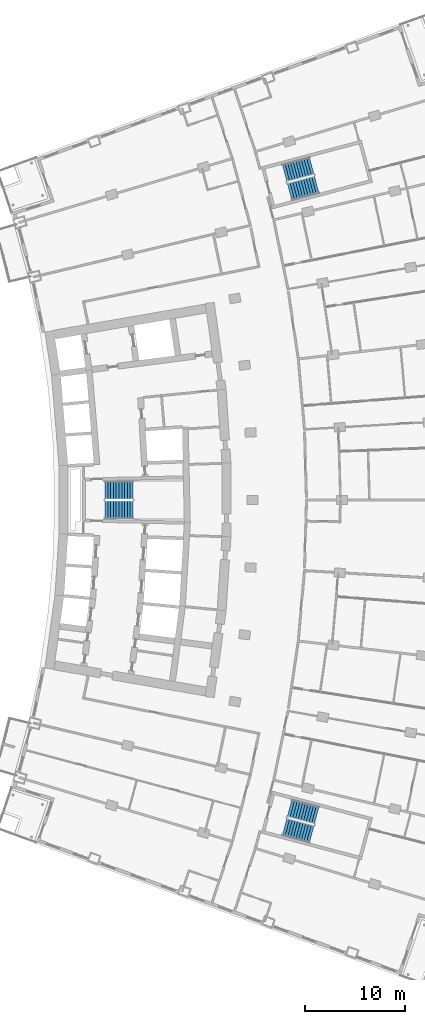
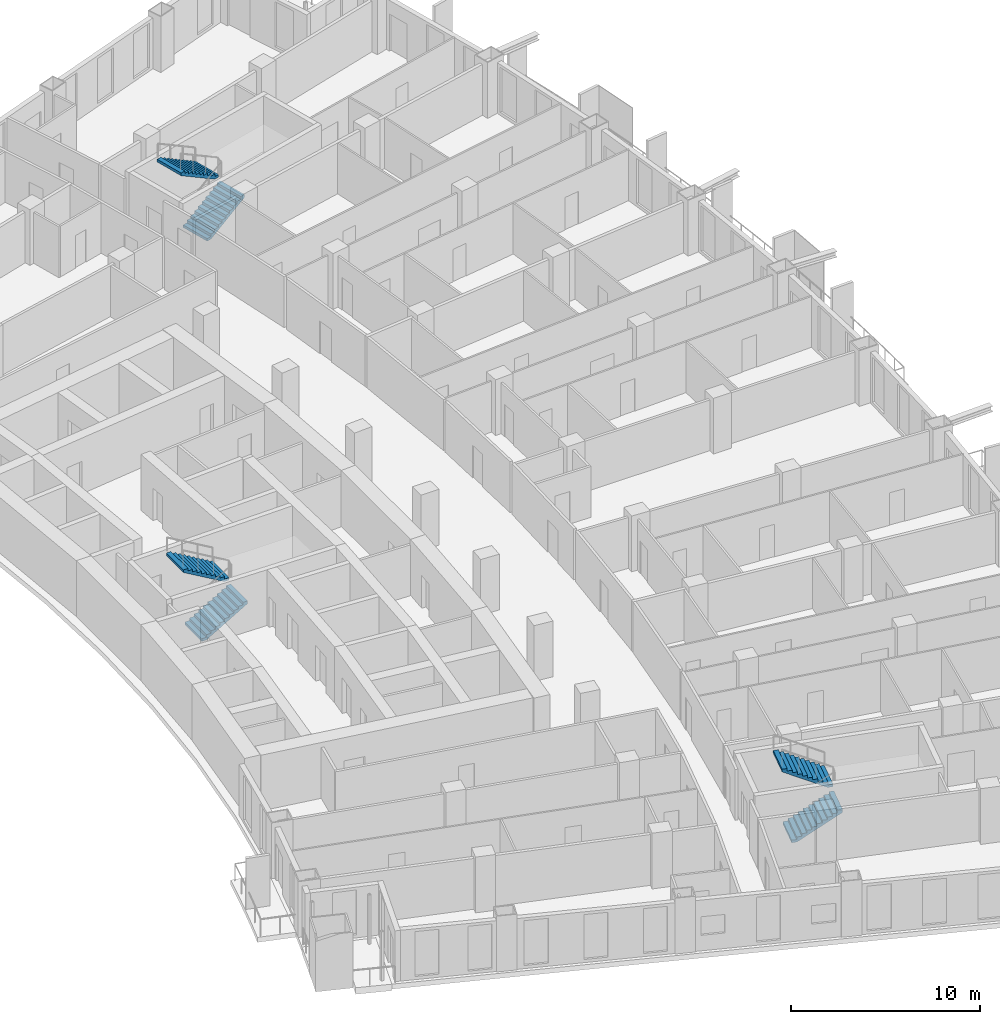
# One storey, part 22 of 25: 6 stair flights, 3 elements without a shape of their own.
"""IFC4 building model written with IfcOpenShell, lengths in metres."""

from ifc_helpers import new_model, si_unit, direction, frame, origin, place, context, subcontext, project, spatial, polyline, outline, extrude, material, layer, layer_set, type_object, element, aggregate, save


model = new_model("IFC4")

# Units and contexts
model_context = context("Model", 3, precision=1e-05, world=origin(), true_north=direction((0.0, 1.0)))
body_context = subcontext(model_context, "Body", "Model", "MODEL_VIEW")
ifc_project = project(units=[si_unit("LENGTHUNIT", "METRE"), si_unit("AREAUNIT", "SQUARE_METRE"), si_unit("VOLUMEUNIT", "CUBIC_METRE"), si_unit("PLANEANGLEUNIT", "RADIAN"), si_unit("MASSUNIT", "GRAM", prefix="KILO")], contexts=[model_context])

# Site, building, storey
site_placement = place(None, origin())
site = spatial("IfcSite", under=ifc_project, at=site_placement, CompositionType="ELEMENT")
building_placement = place(site_placement, origin())
building = spatial("IfcBuilding", under=site, at=building_placement, Name="Alderwake Tower", CompositionType="ELEMENT")
storey_placement = place(building_placement, frame((0.0, 0.0, 57.199951171875)))
storey = spatial("IfcBuildingStorey", under=building, at=storey_placement, Name="L13", CompositionType="ELEMENT", Elevation=57.199951171875)

# Stair, stair flights
ifc_material_1 = material(Name="Concrete C40/50", Category="concrete")
stair_type = type_object("IfcStairType", Name="Core exit stair", PredefinedType="HALF_TURN_STAIR", material=ifc_material_1)
stair_1_placement = place(storey_placement, origin())
stair_1 = element("IfcStair", 1, at=stair_1_placement, inside=storey, type_object=stair_type, Name="L13 Exit Stair B", PredefinedType="HALF_TURN_STAIR")
ifc_material_2 = material(Name="Concrete C40/50", Category="concrete")
ifc_layer = layer(ifc_material_2, 0.14990234375)
ifc_layer_set = layer_set([ifc_layer], Name="Core stair flight")
stair_flight_type = type_object("IfcStairFlightType", Name="Core stair flight", PredefinedType="STRAIGHT", material=ifc_layer_set)
stair_flight_1_placement = place(storey_placement, frame((21.0400390625, 60.02490234375, 0.0), z_axis=(0.0, 0.0, 1.0), x_axis=(1.0, 0.0, 0.0)))
stair_flight_1 = element("IfcStairFlight", 2, at=stair_flight_1_placement, type_object=stair_flight_type, Name="ST-B flight 1", NumberOfRisers=11, NumberOfTreads=10, PredefinedType="STRAIGHT", RiserHeight=0.163636364, TreadLength=0.28, context=body_context, shape_type="SweptSolid", body=[
    extrude(outline(polyline([(0.0, 0.0), (0.0, 0.16357421875), (0.280029296875, 0.16357421875), (0.280029296875, 0.327392578125), (0.56005859375, 0.327392578125), (0.56005859375, 0.490966796875), (0.840087890625, 0.490966796875), (0.840087890625, 0.654541015625), (1.1201171875, 0.654541015625), (1.1201171875, 0.818115234375), (1.39990234375, 0.818115234375), (1.39990234375, 0.98193359375), (1.679931640625, 0.98193359375), (1.679931640625, 1.1455078125), (1.9599609375, 1.1455078125), (1.9599609375, 1.30908203125), (2.239990234375, 1.30908203125), (2.239990234375, 1.47265625), (2.52001953125, 1.47265625), (2.52001953125, 1.636474609375), (2.800048828125, 1.636474609375), (2.800048828125, 1.800048828125), (2.800048828125, 1.462646484375), (0.297119140625, 0.0), (0.0, 0.0)])), frame((0.0, 0.89990234375, 0.0), z_axis=(0.0, -1.0, 0.0), x_axis=(1.0, 0.0, 0.0)), (0.0, 0.0, 1.0), 1.800048828125),
])
stair_flight_2_placement = place(storey_placement, frame((23.840087890625, 61.97509765625, 1.800048828125), z_axis=(0.0, 0.0, 1.0), x_axis=(-1.0, 0.0, 0.0)))
stair_flight_2 = element("IfcStairFlight", 3, at=stair_flight_2_placement, type_object=stair_flight_type, Name="ST-B flight 2", NumberOfRisers=11, NumberOfTreads=10, PredefinedType="STRAIGHT", RiserHeight=0.163636364, TreadLength=0.28, context=body_context, shape_type="SweptSolid", body=[
    extrude(outline(polyline([(0.0, 0.0), (0.0, 0.16357421875), (0.280029296875, 0.16357421875), (0.280029296875, 0.327392578125), (0.56005859375, 0.327392578125), (0.56005859375, 0.490966796875), (0.840087890625, 0.490966796875), (0.840087890625, 0.654541015625), (1.1201171875, 0.654541015625), (1.1201171875, 0.818115234375), (1.39990234375, 0.818115234375), (1.39990234375, 0.98193359375), (1.679931640625, 0.98193359375), (1.679931640625, 1.1455078125), (1.9599609375, 1.1455078125), (1.9599609375, 1.30908203125), (2.239990234375, 1.30908203125), (2.239990234375, 1.47265625), (2.52001953125, 1.47265625), (2.52001953125, 1.636474609375), (2.800048828125, 1.636474609375), (2.800048828125, 1.800048828125), (2.800048828125, 1.462646484375), (0.297119140625, 0.0), (0.0, 0.0)])), frame((0.0, 0.89990234375, 0.0), z_axis=(0.0, -1.0, 0.0), x_axis=(1.0, 0.0, 0.0)), (0.0, 0.0, 1.0), 1.800048828125),
])
aggregate(stair_1, [stair_flight_1, stair_flight_2])

stair_2_placement = place(storey_placement, origin())
stair_2 = element("IfcStair", 4, at=stair_2_placement, inside=storey, type_object=stair_type, Name="L13 Exit Stair A", PredefinedType="HALF_TURN_STAIR")
stair_flight_3_placement = place(storey_placement, frame((39.512939453125, 91.823974609375, 0.0), z_axis=(0.0, 0.0, 1.0), x_axis=(0.966309627437, 0.257382407951, 0.0)))
stair_flight_3 = element("IfcStairFlight", 5, at=stair_flight_3_placement, type_object=stair_flight_type, Name="ST-A flight 1", NumberOfRisers=11, NumberOfTreads=10, PredefinedType="STRAIGHT", RiserHeight=0.163636364, TreadLength=0.28, context=body_context, shape_type="SweptSolid", body=[
    extrude(outline(polyline([(0.0, 0.0), (0.0, 0.16357421875), (0.280029296875, 0.16357421875), (0.280029296875, 0.327392578125), (0.56005859375, 0.327392578125), (0.56005859375, 0.490966796875), (0.840087890625, 0.490966796875), (0.840087890625, 0.654541015625), (1.1201171875, 0.654541015625), (1.1201171875, 0.818115234375), (1.39990234375, 0.818115234375), (1.39990234375, 0.98193359375), (1.679931640625, 0.98193359375), (1.679931640625, 1.1455078125), (1.9599609375, 1.1455078125), (1.9599609375, 1.30908203125), (2.239990234375, 1.30908203125), (2.239990234375, 1.47265625), (2.52001953125, 1.47265625), (2.52001953125, 1.636474609375), (2.800048828125, 1.636474609375), (2.800048828125, 1.800048828125), (2.800048828125, 1.462646484375), (0.297119140625, 0.0), (0.0, 0.0)])), frame((0.0, 0.89990234375, 0.0), z_axis=(0.0, -1.0, 0.0), x_axis=(1.0, 0.0, 0.0)), (0.0, 0.0, 1.0), 1.800048828125),
])
stair_flight_4_placement = place(storey_placement, frame((41.716796875, 94.428955078125, 1.800048828125), z_axis=(0.0, 0.0, 1.0), x_axis=(-0.966309627437, -0.257382407951, 0.0)))
stair_flight_4 = element("IfcStairFlight", 6, at=stair_flight_4_placement, type_object=stair_flight_type, Name="ST-A flight 2", NumberOfRisers=11, NumberOfTreads=10, PredefinedType="STRAIGHT", RiserHeight=0.163636364, TreadLength=0.28, context=body_context, shape_type="SweptSolid", body=[
    extrude(outline(polyline([(0.0, 0.0), (0.0, 0.16357421875), (0.280029296875, 0.16357421875), (0.280029296875, 0.327392578125), (0.56005859375, 0.327392578125), (0.56005859375, 0.490966796875), (0.840087890625, 0.490966796875), (0.840087890625, 0.654541015625), (1.1201171875, 0.654541015625), (1.1201171875, 0.818115234375), (1.39990234375, 0.818115234375), (1.39990234375, 0.98193359375), (1.679931640625, 0.98193359375), (1.679931640625, 1.1455078125), (1.9599609375, 1.1455078125), (1.9599609375, 1.30908203125), (2.239990234375, 1.30908203125), (2.239990234375, 1.47265625), (2.52001953125, 1.47265625), (2.52001953125, 1.636474609375), (2.800048828125, 1.636474609375), (2.800048828125, 1.800048828125), (2.800048828125, 1.462646484375), (0.297119140625, 0.0), (0.0, 0.0)])), frame((0.0, 0.89990234375, 0.0), z_axis=(0.0, -1.0, 0.0), x_axis=(1.0, 0.0, 0.0)), (0.0, 0.0, 1.0), 1.800048828125),
])
aggregate(stair_2, [stair_flight_3, stair_flight_4])

stair_3_placement = place(storey_placement, origin())
stair_3 = element("IfcStair", 7, at=stair_3_placement, inside=storey, type_object=stair_type, Name="L13 Exit Stair C", PredefinedType="HALF_TURN_STAIR")
stair_flight_5_placement = place(storey_placement, frame((39.010986328125, 28.291748046875, 0.0), z_axis=(0.0, 0.0, 1.0), x_axis=(0.966309627437, -0.257382407951, 0.0)))
stair_flight_5 = element("IfcStairFlight", 8, at=stair_flight_5_placement, type_object=stair_flight_type, Name="ST-C flight 1", NumberOfRisers=11, NumberOfTreads=10, PredefinedType="STRAIGHT", RiserHeight=0.163636364, TreadLength=0.28, context=body_context, shape_type="SweptSolid", body=[
    extrude(outline(polyline([(0.0, 0.0), (0.0, 0.16357421875), (0.280029296875, 0.16357421875), (0.280029296875, 0.327392578125), (0.56005859375, 0.327392578125), (0.56005859375, 0.490966796875), (0.840087890625, 0.490966796875), (0.840087890625, 0.654541015625), (1.1201171875, 0.654541015625), (1.1201171875, 0.818115234375), (1.39990234375, 0.818115234375), (1.39990234375, 0.98193359375), (1.679931640625, 0.98193359375), (1.679931640625, 1.1455078125), (1.9599609375, 1.1455078125), (1.9599609375, 1.30908203125), (2.239990234375, 1.30908203125), (2.239990234375, 1.47265625), (2.52001953125, 1.47265625), (2.52001953125, 1.636474609375), (2.800048828125, 1.636474609375), (2.800048828125, 1.800048828125), (2.800048828125, 1.462646484375), (0.297119140625, 0.0), (0.0, 0.0)])), frame((0.0, 0.89990234375, 0.0), z_axis=(0.0, -1.0, 0.0), x_axis=(1.0, 0.0, 0.0)), (0.0, 0.0, 1.0), 1.800048828125),
])
stair_flight_6_placement = place(storey_placement, frame((42.218505859375, 29.455322265625, 1.800048828125), z_axis=(0.0, 0.0, 1.0), x_axis=(-0.966309627437, 0.257382407951, 0.0)))
stair_flight_6 = element("IfcStairFlight", 9, at=stair_flight_6_placement, type_object=stair_flight_type, Name="ST-C flight 2", NumberOfRisers=11, NumberOfTreads=10, PredefinedType="STRAIGHT", RiserHeight=0.163636364, TreadLength=0.28, context=body_context, shape_type="SweptSolid", body=[
    extrude(outline(polyline([(0.0, 0.0), (0.0, 0.16357421875), (0.280029296875, 0.16357421875), (0.280029296875, 0.327392578125), (0.56005859375, 0.327392578125), (0.56005859375, 0.490966796875), (0.840087890625, 0.490966796875), (0.840087890625, 0.654541015625), (1.1201171875, 0.654541015625), (1.1201171875, 0.818115234375), (1.39990234375, 0.818115234375), (1.39990234375, 0.98193359375), (1.679931640625, 0.98193359375), (1.679931640625, 1.1455078125), (1.9599609375, 1.1455078125), (1.9599609375, 1.30908203125), (2.239990234375, 1.30908203125), (2.239990234375, 1.47265625), (2.52001953125, 1.47265625), (2.52001953125, 1.636474609375), (2.800048828125, 1.636474609375), (2.800048828125, 1.800048828125), (2.800048828125, 1.462646484375), (0.297119140625, 0.0), (0.0, 0.0)])), frame((0.0, 0.89990234375, 0.0), z_axis=(0.0, -1.0, 0.0), x_axis=(1.0, 0.0, 0.0)), (0.0, 0.0, 1.0), 1.800048828125),
])
aggregate(stair_3, [stair_flight_5, stair_flight_6])

save(model, "model.ifc")
